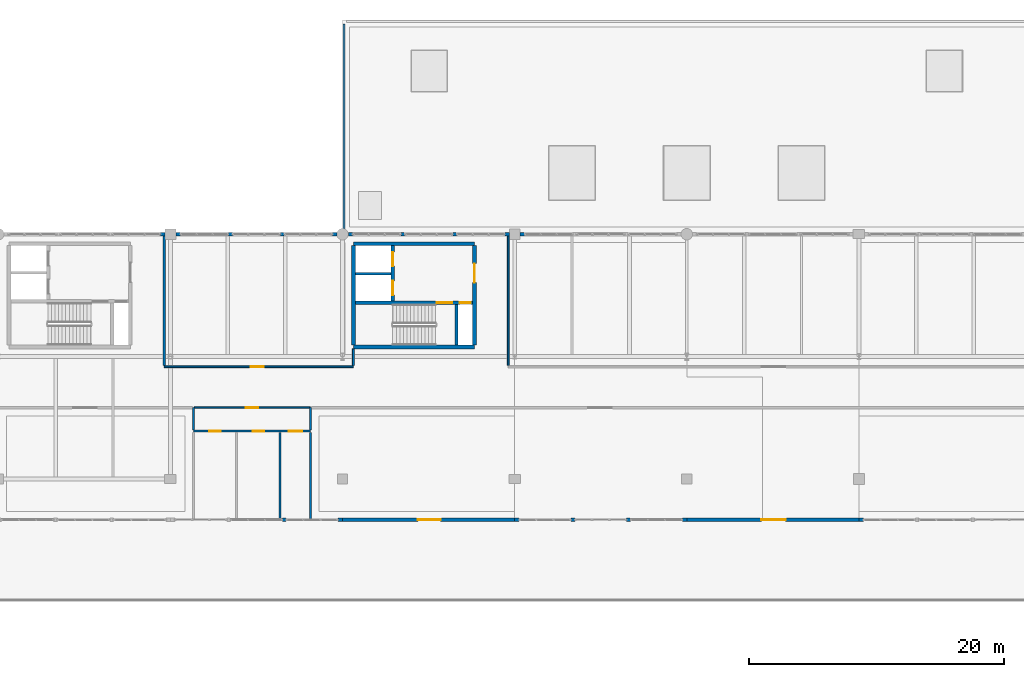
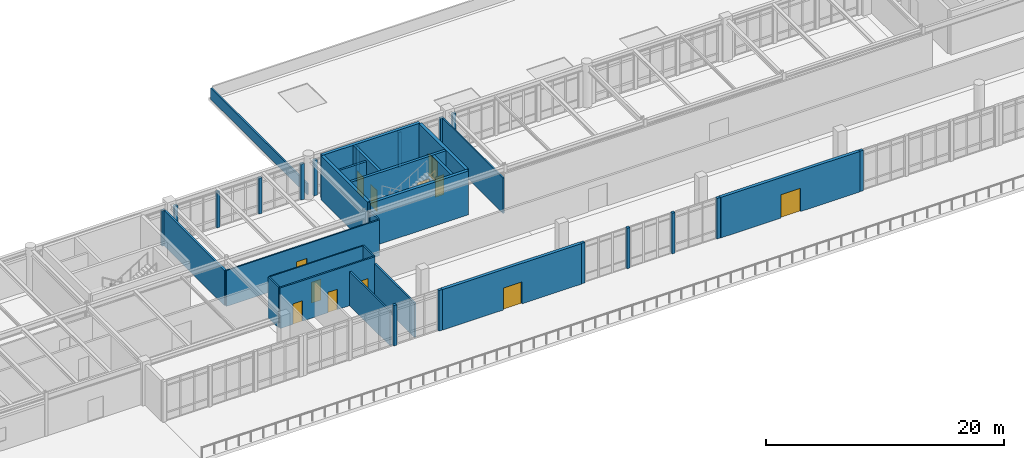
# One storey, part 48 of 55: 38 walls, 12 doors, 12 openings.
"""IFC4 building model written with IfcOpenShell, lengths in metres."""

from ifc_helpers import new_model, si_unit, direction, frame, frame_2d, origin, place, context, subcontext, project, spatial, rectangle, extrude, material, layer, layer_set, type_object, element, fill, save


model = new_model("IFC4")

# Units and contexts
model_context = context("Model", 3, precision=1e-05, world=origin(), true_north=direction((0.0, 1.0)))
body_context = subcontext(model_context, "Body", "Model", "MODEL_VIEW")
ifc_project = project(units=[si_unit("LENGTHUNIT", "METRE"), si_unit("AREAUNIT", "SQUARE_METRE"), si_unit("VOLUMEUNIT", "CUBIC_METRE"), si_unit("PLANEANGLEUNIT", "RADIAN"), si_unit("MASSUNIT", "GRAM", prefix="KILO")], contexts=[model_context])

# Site, building, storey
site_placement = place(None, origin())
site = spatial("IfcSite", under=ifc_project, at=site_placement, CompositionType="ELEMENT")
building_placement = place(site_placement, origin())
building = spatial("IfcBuilding", under=site, at=building_placement, Name="Fikremerkos Civic Library", CompositionType="ELEMENT")
storey_placement = place(building_placement, frame((0.0, 0.0, 18.89990234375)))
storey = spatial("IfcBuildingStorey", under=building, at=storey_placement, Name="L04", CompositionType="ELEMENT", Elevation=18.89990234375)

# Walls
ifc_material_1 = material(Name="Concrete C40/50", Category="concrete")
ifc_layer_1 = layer(ifc_material_1, 0.300048828125, Name="Concrete C40/50")
ifc_layer_set_1 = layer_set([ifc_layer_1], Name="Concrete C40/50")
wall_type_1 = type_object("IfcWallType", Name="Core shear wall CSW-01 300", PredefinedType="SHEAR", material=ifc_layer_set_1)
for number, where, z_axis, x_axis, name in (
    (1, (56.550048828125, 22.35009765625, 0.0), (0.0, 0.0, 1.0), (-1.0, 0.0, 0.0), "Core K3 south shear wall L04"),
    (2, (47.050048828125, 30.449951171875, 0.0), (0.0, 0.0, 1.0), (1.0, 0.0, 0.0), "Core K3 north shear wall L04"),
):
    element("IfcWall", number, at=place(storey_placement, frame(where, z_axis=z_axis, x_axis=x_axis)), inside=storey, type_object=wall_type_1, Name=name, PredefinedType="SHEAR", context=body_context, shape_type="SweptSolid", body=[
        extrude(rectangle(XDim=9.5, YDim=0.300048828125, at=frame_2d((4.75, 0.0))), origin(), (0.0, 0.0, 1.0), 4.5),
    ])
wall_1_placement = place(storey_placement, frame((47.050048828125, 22.501953125, 0.0), z_axis=(0.0, 0.0, 1.0), x_axis=(0.0, 1.0, 0.0)))
element("IfcWall", 3, at=wall_1_placement, inside=storey, type_object=wall_type_1, Name="Core K3 west shear wall L04", PredefinedType="SHEAR", context=body_context, shape_type="SweptSolid", body=[
    extrude(rectangle(XDim=7.796142578125, YDim=0.300048828125, at=frame_2d((3.89794921875, 0.0))), origin(), (0.0, 0.0, 1.0), 4.5),
])

# Wall, opening, door
wall_2_placement = place(storey_placement, frame((56.550048828125, 30.298095703125, 0.0), z_axis=(0.0, 0.0, 1.0), x_axis=(0.0, -1.0, 0.0)))
wall_2 = element("IfcWall", 4, at=wall_2_placement, inside=storey, type_object=wall_type_1, Name="Core K3 east shear wall L04", PredefinedType="SHEAR", context=body_context, shape_type="SweptSolid", body=[
    extrude(rectangle(XDim=7.796142578125, YDim=0.300048828125, at=frame_2d((3.89794921875, 0.0))), origin(), (0.0, 0.0, 1.0), 4.5),
])
opening_1_placement = place(wall_2_placement, frame((1.39794921875, 0.0, 0.0)))
opening_1 = element("IfcOpeningElement", 5, at=opening_1_placement, cuts=wall_2, Name="Opening D095", PredefinedType="OPENING", context=body_context, shape_type="SweptSolid", body=[
    extrude(rectangle(XDim=1.5, YDim=2.25, at=frame_2d((0.75, 1.125))), frame((0.0, 0.159912109375, 0.0), z_axis=(0.0, -1.0, 0.0), x_axis=(1.0, 0.0, 0.0)), (0.0, 0.0, 1.0), 0.320068359375),
])
ifc_material_2 = material(Name="Hardwood timber and acoustic glass", Category="wood")
door_type_1 = type_object("IfcDoorType", Name="Pedestrian door DT-05 1500x2250", OperationType="NOTDEFINED", PredefinedType="DOOR", material=ifc_material_2)
door_1_placement = place(opening_1_placement, origin())
door_1 = element("IfcDoor", 6, at=door_1_placement, inside=storey, type_object=door_type_1, Name="Core K3 lobby fire door D095 L04", OperationType="SINGLE_SWING_RIGHT", OverallHeight=2.25, OverallWidth=1.5, PredefinedType="DOOR", context=body_context, shape_type="SweptSolid", body=[
    extrude(rectangle(XDim=1.5, YDim=2.25, at=frame_2d((0.75, 1.125))), frame((0.0, 0.032470703125, 0.0), z_axis=(0.0, -1.0, 0.0), x_axis=(1.0, 0.0, 0.0)), (0.0, 0.0, 1.0), 0.06494140625),
])
fill(opening_1, door_1)

# Wall, openings, doors
ifc_layer_2 = layer(ifc_material_1, 0.260009765625, Name="Concrete C40/50")
ifc_layer_set_2 = layer_set([ifc_layer_2], Name="Concrete C40/50")
wall_type_2 = type_object("IfcWallType", Name="Core shear wall CSW-02 260", PredefinedType="SHEAR", material=ifc_layer_set_2)
wall_3_placement = place(storey_placement, frame((47.201904296875, 25.830078125, 0.0), z_axis=(0.0, 0.0, 1.0), x_axis=(1.0, 0.0, 0.0)))
wall_3 = element("IfcWall", 7, at=wall_3_placement, inside=storey, type_object=wall_type_2, Name="Core K3 stair compartment wall L04", PredefinedType="SHEAR", context=body_context, shape_type="SweptSolid", body=[
    extrude(rectangle(XDim=9.196044921875, YDim=0.260009765625, at=frame_2d((4.59814453125, 0.0))), origin(), (0.0, 0.0, 1.0), 4.5),
])
opening_2_placement = place(wall_3_placement, frame((6.39794921875, 0.0, 0.0)))
opening_2 = element("IfcOpeningElement", 8, at=opening_2_placement, cuts=wall_3, Name="Opening D096", PredefinedType="OPENING", context=body_context, shape_type="SweptSolid", body=[
    extrude(rectangle(XDim=1.199951171875, YDim=2.199951171875, at=frame_2d((0.60009765625, 1.10009765625))), frame((0.0, 0.139892578125, 0.0), z_axis=(0.0, -1.0, 0.0), x_axis=(1.0, 0.0, 0.0)), (0.0, 0.0, 1.0), 0.280029296875),
])
opening_3_placement = place(wall_3_placement, frame((8.202880859375, 0.0, 0.0)))
opening_3 = element("IfcOpeningElement", 9, at=opening_3_placement, cuts=wall_3, Name="Opening D097", PredefinedType="OPENING", context=body_context, shape_type="SweptSolid", body=[
    extrude(rectangle(XDim=0.85009765625, YDim=2.050048828125, at=frame_2d((0.425048828125, 1.02490234375))), frame((0.0, 0.139892578125, 0.0), z_axis=(0.0, -1.0, 0.0), x_axis=(1.0, 0.0, 0.0)), (0.0, 0.0, 1.0), 0.280029296875),
])
door_type_2 = type_object("IfcDoorType", Name="Pedestrian door DT-06 1200x2200", OperationType="NOTDEFINED", PredefinedType="DOOR", material=ifc_material_2)
door_2_placement = place(opening_2_placement, origin())
door_2 = element("IfcDoor", 10, at=door_2_placement, inside=storey, type_object=door_type_2, Name="Core K3 stair fire door D096 L04", OperationType="SINGLE_SWING_RIGHT", OverallHeight=2.199951171875, OverallWidth=1.199951171875, PredefinedType="DOOR", context=body_context, shape_type="SweptSolid", body=[
    extrude(rectangle(XDim=1.199951171875, YDim=2.199951171875, at=frame_2d((0.60009765625, 1.10009765625))), frame((0.0, 0.032470703125, 0.0), z_axis=(0.0, -1.0, 0.0), x_axis=(1.0, 0.0, 0.0)), (0.0, 0.0, 1.0), 0.06494140625),
])
fill(opening_2, door_2)
door_type_3 = type_object("IfcDoorType", Name="Pedestrian door DT-08 850x2050", OperationType="NOTDEFINED", PredefinedType="DOOR", material=ifc_material_2)
door_3_placement = place(opening_3_placement, origin())
door_3 = element("IfcDoor", 11, at=door_3_placement, inside=storey, type_object=door_type_3, Name="Core K3 riser access fire door D097 L04", OperationType="SINGLE_SWING_LEFT", OverallHeight=2.050048828125, OverallWidth=0.85009765625, PredefinedType="DOOR", context=body_context, shape_type="SweptSolid", body=[
    extrude(rectangle(XDim=0.85009765625, YDim=2.050048828125, at=frame_2d((0.425048828125, 1.02490234375))), frame((0.0, 0.032470703125, 0.0), z_axis=(0.0, -1.0, 0.0), x_axis=(1.0, 0.0, 0.0)), (0.0, 0.0, 1.0), 0.06494140625),
])
fill(opening_3, door_3)

# Wall
wall_4_placement = place(storey_placement, frame((55.1298828125, 22.501953125, 0.0), z_axis=(0.0, 0.0, 1.0), x_axis=(0.0, 1.0, 0.0)))
element("IfcWall", 12, at=wall_4_placement, inside=storey, type_object=wall_type_2, Name="Core K3 stair-riser shear wall L04", PredefinedType="SHEAR", context=body_context, shape_type="SweptSolid", body=[
    extrude(rectangle(XDim=3.196044921875, YDim=0.260009765625, at=frame_2d((1.59814453125, 0.0))), origin(), (0.0, 0.0, 1.0), 4.5),
])

# Wall, openings, doors
wall_5_placement = place(storey_placement, frame((50.1298828125, 25.9619140625, 0.0), z_axis=(0.0, 0.0, 1.0), x_axis=(0.0, 1.0, 0.0)))
wall_5 = element("IfcWall", 13, at=wall_5_placement, inside=storey, type_object=wall_type_2, Name="Core K3 lift shaft front wall L04", PredefinedType="SHEAR", context=body_context, shape_type="SweptSolid", body=[
    extrude(rectangle(XDim=4.336181640625, YDim=0.260009765625, at=frame_2d((2.16796875, 0.0))), origin(), (0.0, 0.0, 1.0), 4.5),
])
opening_4_placement = place(wall_5_placement, frame((0.468017578125, 0.0, 0.0)))
opening_4 = element("IfcOpeningElement", 14, at=opening_4_placement, cuts=wall_5, Name="Opening LD45", PredefinedType="OPENING", context=body_context, shape_type="SweptSolid", body=[
    extrude(rectangle(XDim=1.10009765625, YDim=2.14990234375, at=frame_2d((0.550048828125, 1.074951171875))), frame((0.0, 0.139892578125, 0.0), z_axis=(0.0, -1.0, 0.0), x_axis=(1.0, 0.0, 0.0)), (0.0, 0.0, 1.0), 0.280029296875),
])
opening_5_placement = place(wall_5_placement, frame((2.738037109375, 0.0, 0.0)))
opening_5 = element("IfcOpeningElement", 15, at=opening_5_placement, cuts=wall_5, Name="Opening LD46", PredefinedType="OPENING", context=body_context, shape_type="SweptSolid", body=[
    extrude(rectangle(XDim=1.10009765625, YDim=2.14990234375, at=frame_2d((0.550048828125, 1.074951171875))), frame((0.0, 0.139892578125, 0.0), z_axis=(0.0, -1.0, 0.0), x_axis=(1.0, 0.0, 0.0)), (0.0, 0.0, 1.0), 0.280029296875),
])
ifc_material_3 = material(Name="Brushed stainless steel", Category="steel")
door_type_4 = type_object("IfcDoorType", Name="Lift landing door LDT-01 1100x2150", OperationType="NOTDEFINED", PredefinedType="DOOR", material=ifc_material_3)
door_4_placement = place(opening_4_placement, origin())
door_4 = element("IfcDoor", 16, at=door_4_placement, inside=storey, type_object=door_type_4, Name="Lift LF05 sliding landing door LD45 L04", OperationType="SLIDING_TO_LEFT", OverallHeight=2.14990234375, OverallWidth=1.10009765625, PredefinedType="DOOR", context=body_context, shape_type="SweptSolid", body=[
    extrude(rectangle(XDim=1.10009765625, YDim=2.14990234375, at=frame_2d((0.550048828125, 1.074951171875))), frame((0.0, 0.032470703125, 0.0), z_axis=(0.0, -1.0, 0.0), x_axis=(1.0, 0.0, 0.0)), (0.0, 0.0, 1.0), 0.06494140625),
])
fill(opening_4, door_4)
door_5_placement = place(opening_5_placement, origin())
door_5 = element("IfcDoor", 17, at=door_5_placement, inside=storey, type_object=door_type_4, Name="Lift LF06 sliding landing door LD46 L04", OperationType="SLIDING_TO_LEFT", OverallHeight=2.14990234375, OverallWidth=1.10009765625, PredefinedType="DOOR", context=body_context, shape_type="SweptSolid", body=[
    extrude(rectangle(XDim=1.10009765625, YDim=2.14990234375, at=frame_2d((0.550048828125, 1.074951171875))), frame((0.0, 0.032470703125, 0.0), z_axis=(0.0, -1.0, 0.0), x_axis=(1.0, 0.0, 0.0)), (0.0, 0.0, 1.0), 0.06494140625),
])
fill(opening_5, door_5)

# Wall, opening, door
ifc_material_4 = material(Name="Precast concrete C40/50", Category="concrete")
ifc_layer_3 = layer(ifc_material_4, 0.300048828125, Name="Precast concrete C40/50")
ifc_layer_set_3 = layer_set([ifc_layer_3], Name="Precast concrete C40/50")
wall_type_3 = type_object("IfcWallType", Name="Exterior solid wall ESW-03 300", PredefinedType="SOLIDWALL", material=ifc_layer_set_3)
wall_6_placement = place(storey_placement, frame((86.697998046875, 8.800048828125, 0.0), z_axis=(0.0, 0.0, 1.0), x_axis=(-1.0, 0.0, 0.0)))
wall_6 = element("IfcWall", 18, at=wall_6_placement, inside=storey, type_object=wall_type_3, Name="Terrace threshold wall ESW-03 L04 #618", PredefinedType="SOLIDWALL", context=body_context, shape_type="SweptSolid", body=[
    extrude(rectangle(XDim=13.49609375, YDim=0.300048828125, at=frame_2d((6.748046875, 0.0))), origin(), (0.0, 0.0, 1.0), 4.16015625),
])
opening_6_placement = place(wall_6_placement, frame((5.748046875, 0.0, 0.0)))
opening_6 = element("IfcOpeningElement", 19, at=opening_6_placement, cuts=wall_6, Name="Opening D026", PredefinedType="OPENING", context=body_context, shape_type="SweptSolid", body=[
    extrude(rectangle(XDim=1.89990234375, YDim=2.39990234375, at=frame_2d((0.949951171875, 1.199951171875))), frame((0.0, 0.159912109375, 0.0), z_axis=(0.0, -1.0, 0.0), x_axis=(1.0, 0.0, 0.0)), (0.0, 0.0, 1.0), 0.320068359375),
])
ifc_material_5 = material(Name="Thermally broken bronze aluminium and glass", Category="aluminium")
door_type_5 = type_object("IfcDoorType", Name="Pedestrian door DT-16 1900x2400", OperationType="NOTDEFINED", PredefinedType="DOOR", material=ifc_material_5)
door_6_placement = place(opening_6_placement, origin())
door_6 = element("IfcDoor", 20, at=door_6_placement, inside=storey, type_object=door_type_5, Name="Reading terrace access door D026 L04", OperationType="SINGLE_SWING_RIGHT", OverallHeight=2.39990234375, OverallWidth=1.89990234375, PredefinedType="DOOR", context=body_context, shape_type="SweptSolid", body=[
    extrude(rectangle(XDim=1.89990234375, YDim=2.39990234375, at=frame_2d((0.949951171875, 1.199951171875))), frame((0.0, 0.032470703125, 0.0), z_axis=(0.0, -1.0, 0.0), x_axis=(1.0, 0.0, 0.0)), (0.0, 0.0, 1.0), 0.06494140625),
])
fill(opening_6, door_6)

wall_7_placement = place(storey_placement, frame((59.697998046875, 8.800048828125, 0.0), z_axis=(0.0, 0.0, 1.0), x_axis=(-1.0, 0.0, 0.0)))
wall_7 = element("IfcWall", 21, at=wall_7_placement, inside=storey, type_object=wall_type_3, Name="Terrace threshold wall ESW-03 L04 #623", PredefinedType="SOLIDWALL", context=body_context, shape_type="SweptSolid", body=[
    extrude(rectangle(XDim=13.49609375, YDim=0.300048828125, at=frame_2d((6.748046875, 0.0))), origin(), (0.0, 0.0, 1.0), 4.16015625),
])
opening_7_placement = place(wall_7_placement, frame((5.798095703125, 0.0, 0.0)))
opening_7 = element("IfcOpeningElement", 22, at=opening_7_placement, cuts=wall_7, Name="Opening D027", PredefinedType="OPENING", context=body_context, shape_type="SweptSolid", body=[
    extrude(rectangle(XDim=1.800048828125, YDim=2.25, at=frame_2d((0.89990234375, 1.125))), frame((0.0, 0.159912109375, 0.0), z_axis=(0.0, -1.0, 0.0), x_axis=(1.0, 0.0, 0.0)), (0.0, 0.0, 1.0), 0.320068359375),
])
door_type_6 = type_object("IfcDoorType", Name="Pedestrian door DT-12 1800x2250", OperationType="NOTDEFINED", PredefinedType="DOOR", material=ifc_material_5)
door_7_placement = place(opening_7_placement, origin())
door_7 = element("IfcDoor", 23, at=door_7_placement, inside=storey, type_object=door_type_6, Name="Reading terrace access door D027 L04", OperationType="SINGLE_SWING_LEFT", OverallHeight=2.25, OverallWidth=1.800048828125, PredefinedType="DOOR", context=body_context, shape_type="SweptSolid", body=[
    extrude(rectangle(XDim=1.800048828125, YDim=2.25, at=frame_2d((0.89990234375, 1.125))), frame((0.0, 0.032470703125, 0.0), z_axis=(0.0, -1.0, 0.0), x_axis=(1.0, 0.0, 0.0)), (0.0, 0.0, 1.0), 0.06494140625),
])
fill(opening_7, door_7)

# Walls
ifc_layer_4 = layer(ifc_material_4, 0.25, Name="Precast concrete C40/50")
ifc_layer_set_4 = layer_set([ifc_layer_4], Name="Precast concrete C40/50")
wall_type_4 = type_object("IfcWallType", Name="Exterior solid wall ESW-05 250", PredefinedType="SOLIDWALL", material=ifc_layer_set_4)
for number, where, z_axis, x_axis, name in (
    (24, (87.052001953125, 8.800048828125, 0.0), (0.0, 0.0, 1.0), (-1.0, 0.0, 0.0), "Exterior facade pier ESW-05 #615"),
    (25, (73.197998046875, 8.800048828125, 0.0), (0.0, 0.0, 1.0), (-1.0, 0.0, 0.0), "Exterior facade pier ESW-05 #619"),
    (26, (60.052001953125, 8.800048828125, 0.0), (0.0, 0.0, 1.0), (-1.0, 0.0, 0.0), "Exterior facade pier ESW-05 #620"),
):
    element("IfcWall", number, at=place(storey_placement, frame(where, z_axis=z_axis, x_axis=x_axis)), inside=storey, type_object=wall_type_4, Name=name, PredefinedType="SOLIDWALL", context=body_context, shape_type="SweptSolid", body=[
        extrude(rectangle(XDim=0.35009765625, YDim=0.25, at=frame_2d((0.175048828125, 0.0))), origin(), (0.0, 0.0, 1.0), 4.16015625),
    ])
wall_8_placement = place(storey_placement, frame((68.78271484375, 8.800048828125, 0.0), z_axis=(0.0, 0.0, 1.0), x_axis=(-1.0, 0.0, 0.0)))
element("IfcWall", 27, at=wall_8_placement, inside=storey, type_object=wall_type_4, Name="Exterior facade mullion pier ESW-05 #621", PredefinedType="SOLIDWALL", context=body_context, shape_type="SweptSolid", body=[
    extrude(rectangle(XDim=0.300048828125, YDim=0.25, at=frame_2d((0.14990234375, 0.0))), origin(), (0.0, 0.0, 1.0), 4.16015625),
])
wall_9_placement = place(storey_placement, frame((64.417236328125, 8.800048828125, 0.0), z_axis=(0.0, 0.0, 1.0), x_axis=(-1.0, 0.0, 0.0)))
element("IfcWall", 28, at=wall_9_placement, inside=storey, type_object=wall_type_4, Name="Exterior facade mullion pier ESW-05 #622", PredefinedType="SOLIDWALL", context=body_context, shape_type="SweptSolid", body=[
    extrude(rectangle(XDim=0.2998046875, YDim=0.25, at=frame_2d((0.14990234375, 0.0))), origin(), (0.0, 0.0, 1.0), 4.16015625),
])
wall_10_placement = place(storey_placement, frame((46.197998046875, 8.800048828125, 0.0), z_axis=(0.0, 0.0, 1.0), x_axis=(-1.0, 0.0, 0.0)))
element("IfcWall", 29, at=wall_10_placement, inside=storey, type_object=wall_type_4, Name="Exterior facade pier ESW-05 #624", PredefinedType="SOLIDWALL", context=body_context, shape_type="SweptSolid", body=[
    extrude(rectangle(XDim=0.35009765625, YDim=0.25, at=frame_2d((0.175048828125, 0.0))), origin(), (0.0, 0.0, 1.0), 4.16015625),
])
wall_11_placement = place(storey_placement, frame((41.78271484375, 8.800048828125, 0.0), z_axis=(0.0, 0.0, 1.0), x_axis=(-1.0, 0.0, 0.0)))
element("IfcWall", 30, at=wall_11_placement, inside=storey, type_object=wall_type_4, Name="Exterior facade mullion pier ESW-05 #626", PredefinedType="SOLIDWALL", context=body_context, shape_type="SweptSolid", body=[
    extrude(rectangle(XDim=0.300048828125, YDim=0.25, at=frame_2d((0.14990234375, 0.0))), origin(), (0.0, 0.0, 1.0), 4.16015625),
])
wall_12_placement = place(storey_placement, frame((31.927001953125, 31.199951171875, 0.0), z_axis=(0.0, 0.0, 1.0), x_axis=(1.0, 0.0, 0.0)))
element("IfcWall", 31, at=wall_12_placement, inside=storey, type_object=wall_type_4, Name="Exterior facade pier ESW-05 #640", PredefinedType="SOLIDWALL", context=body_context, shape_type="SweptSolid", body=[
    extrude(rectangle(XDim=0.35009765625, YDim=0.25, at=frame_2d((0.175048828125, 0.0))), origin(), (0.0, 0.0, 1.0), 3.630126953125),
])
for number, where, z_axis, x_axis, name in (
    (32, (33.123046875, 31.199951171875, 0.0), (0.0, 0.0, 1.0), (1.0, 0.0, 0.0), "Exterior facade pier ESW-05 #643"),
    (33, (45.402099609375, 31.199951171875, 0.0), (0.0, 0.0, 1.0), (1.0, 0.0, 0.0), "Exterior facade pier ESW-05 #644"),
):
    element("IfcWall", number, at=place(storey_placement, frame(where, z_axis=z_axis, x_axis=x_axis)), inside=storey, type_object=wall_type_4, Name=name, PredefinedType="SOLIDWALL", context=body_context, shape_type="SweptSolid", body=[
        extrude(rectangle(XDim=0.349853515625, YDim=0.25, at=frame_2d((0.1748046875, 0.0))), origin(), (0.0, 0.0, 1.0), 3.68017578125),
    ])
for number, where, z_axis, x_axis, name in (
    (34, (37.249267578125, 31.199951171875, 0.0), (0.0, 0.0, 1.0), (1.0, 0.0, 0.0), "Exterior facade mullion pier ESW-05 #645"),
    (35, (41.32568359375, 31.199951171875, 0.0), (0.0, 0.0, 1.0), (1.0, 0.0, 0.0), "Exterior facade mullion pier ESW-05 #646"),
):
    element("IfcWall", number, at=place(storey_placement, frame(where, z_axis=z_axis, x_axis=x_axis)), inside=storey, type_object=wall_type_4, Name=name, PredefinedType="SOLIDWALL", context=body_context, shape_type="SweptSolid", body=[
        extrude(rectangle(XDim=0.300048828125, YDim=0.25, at=frame_2d((0.14990234375, 0.0))), origin(), (0.0, 0.0, 1.0), 3.68017578125),
    ])
for number, where, z_axis, x_axis, name in (
    (36, (46.64794921875, 31.199951171875, 0.0), (0.0, 0.0, 1.0), (1.0, 0.0, 0.0), "Exterior facade pier ESW-05 #647"),
    (37, (58.927001953125, 31.199951171875, 0.0), (0.0, 0.0, 1.0), (1.0, 0.0, 0.0), "Exterior facade pier ESW-05 #648"),
):
    element("IfcWall", number, at=place(storey_placement, frame(where, z_axis=z_axis, x_axis=x_axis)), inside=storey, type_object=wall_type_4, Name=name, PredefinedType="SOLIDWALL", context=body_context, shape_type="SweptSolid", body=[
        extrude(rectangle(XDim=0.35009765625, YDim=0.25, at=frame_2d((0.175048828125, 0.0))), origin(), (0.0, 0.0, 1.0), 3.64013671875),
    ])
wall_13_placement = place(storey_placement, frame((50.7744140625, 31.199951171875, 0.0), z_axis=(0.0, 0.0, 1.0), x_axis=(1.0, 0.0, 0.0)))
element("IfcWall", 38, at=wall_13_placement, inside=storey, type_object=wall_type_4, Name="Exterior facade mullion pier ESW-05 #649", PredefinedType="SOLIDWALL", context=body_context, shape_type="SweptSolid", body=[
    extrude(rectangle(XDim=0.2998046875, YDim=0.25, at=frame_2d((0.14990234375, 0.0))), origin(), (0.0, 0.0, 1.0), 3.64013671875),
])
wall_14_placement = place(storey_placement, frame((54.8505859375, 31.199951171875, 0.0), z_axis=(0.0, 0.0, 1.0), x_axis=(1.0, 0.0, 0.0)))
element("IfcWall", 39, at=wall_14_placement, inside=storey, type_object=wall_type_4, Name="Exterior facade mullion pier ESW-05 #650", PredefinedType="SOLIDWALL", context=body_context, shape_type="SweptSolid", body=[
    extrude(rectangle(XDim=0.300048828125, YDim=0.25, at=frame_2d((0.14990234375, 0.0))), origin(), (0.0, 0.0, 1.0), 3.64013671875),
])
wall_15_placement = place(storey_placement, frame((60.123046875, 31.199951171875, 0.0), z_axis=(0.0, 0.0, 1.0), x_axis=(1.0, 0.0, 0.0)))
element("IfcWall", 40, at=wall_15_placement, inside=storey, type_object=wall_type_4, Name="Exterior facade pier ESW-05 #651", PredefinedType="SOLIDWALL", context=body_context, shape_type="SweptSolid", body=[
    extrude(rectangle(XDim=0.349853515625, YDim=0.25, at=frame_2d((0.1748046875, 0.0))), origin(), (0.0, 0.0, 1.0), 3.690185546875),
])
ifc_material_6 = material(Name="Acoustic concrete blockwork", Category="masonry")
ifc_layer_5 = layer(ifc_material_6, 0.18994140625, Name="Acoustic concrete blockwork")
ifc_layer_set_5 = layer_set([ifc_layer_5], Name="Acoustic concrete blockwork")
wall_type_5 = type_object("IfcWallType", Name="Interior partition wall IPW-01 190", PredefinedType="PARTITIONING", material=ifc_layer_set_5)
wall_16_placement = place(storey_placement, frame((32.199951171875, 20.905029296875, 0.0), z_axis=(0.0, 0.0, 1.0), x_axis=(0.0, 1.0, 0.0)))
element("IfcWall", 41, at=wall_16_placement, inside=storey, type_object=wall_type_5, Name="Interior wall IPW-01 L04 #244", PredefinedType="PARTITIONING", context=body_context, shape_type="SweptSolid", body=[
    extrude(rectangle(XDim=10.166015625, YDim=0.18994140625, at=frame_2d((5.0830078125, 0.0))), origin(), (0.0, 0.0, 1.0), 3.630126953125),
])
ifc_material_7 = material(Name="Acoustic gypsum stud partition")
ifc_layer_6 = layer(ifc_material_7, 0.14990234375, Name="Acoustic gypsum stud partition")
ifc_layer_set_6 = layer_set([ifc_layer_6], Name="Acoustic gypsum stud partition")
wall_type_6 = type_object("IfcWallType", Name="Interior partition wall IPW-02 150", PredefinedType="PARTITIONING", material=ifc_layer_set_6)
wall_17_placement = place(storey_placement, frame((47.050048828125, 20.905029296875, 0.0), z_axis=(0.0, 0.0, 1.0), x_axis=(0.0, 1.0, 0.0)))
element("IfcWall", 42, at=wall_17_placement, inside=storey, type_object=wall_type_6, Name="Interior wall IPW-02 L04 #245", PredefinedType="PARTITIONING", context=body_context, shape_type="SweptSolid", body=[
    extrude(rectangle(XDim=1.2919921875, YDim=0.14990234375, at=frame_2d((0.64599609375, 0.0))), origin(), (0.0, 0.0, 1.0), 3.690185546875),
])

# Wall, opening, door
ifc_material_8 = material(Name="Gypsum metal stud partition")
ifc_layer_7 = layer(ifc_material_8, 0.1298828125, Name="Gypsum metal stud partition")
ifc_layer_set_7 = layer_set([ifc_layer_7], Name="Gypsum metal stud partition")
wall_type_7 = type_object("IfcWallType", Name="Interior partition wall IPW-03 130", PredefinedType="PARTITIONING", material=ifc_layer_set_7)
wall_18_placement = place(storey_placement, frame((32.199951171875, 20.800048828125, 0.0), z_axis=(0.0, 0.0, 1.0), x_axis=(1.0, 0.0, 0.0)))
wall_18 = element("IfcWall", 43, at=wall_18_placement, inside=storey, type_object=wall_type_7, Name="Interior wall IPW-03 L04 #238", PredefinedType="PARTITIONING", context=body_context, shape_type="SweptSolid", body=[
    extrude(rectangle(XDim=14.85009765625, YDim=0.1298828125, at=frame_2d((7.425048828125, 0.0))), origin(), (0.0, 0.0, 1.0), 3.690185546875),
])
opening_8_placement = place(wall_18_placement, frame((6.800048828125, 0.0, 0.0)))
opening_8 = element("IfcOpeningElement", 44, at=opening_8_placement, cuts=wall_18, Name="Opening D250", PredefinedType="OPENING", context=body_context, shape_type="SweptSolid", body=[
    extrude(rectangle(XDim=1.0, YDim=2.199951171875, at=frame_2d((0.5, 1.10009765625))), frame((0.0, 0.074951171875, 0.0), z_axis=(0.0, -1.0, 0.0), x_axis=(1.0, 0.0, 0.0)), (0.0, 0.0, 1.0), 0.14990234375),
])
door_type_7 = type_object("IfcDoorType", Name="Pedestrian door DT-01 1000x2200", OperationType="NOTDEFINED", PredefinedType="DOOR", material=ifc_material_2)
door_8_placement = place(opening_8_placement, origin())
door_8 = element("IfcDoor", 45, at=door_8_placement, inside=storey, type_object=door_type_7, Name="Interior door D250 L04", OperationType="SINGLE_SWING_RIGHT", OverallHeight=2.199951171875, OverallWidth=1.0, PredefinedType="DOOR", context=body_context, shape_type="SweptSolid", body=[
    extrude(rectangle(XDim=1.0, YDim=2.199951171875, at=frame_2d((0.5, 1.10009765625))), frame((0.0, 0.032470703125, 0.0), z_axis=(0.0, -1.0, 0.0), x_axis=(1.0, 0.0, 0.0)), (0.0, 0.0, 1.0), 0.06494140625),
])
fill(opening_8, door_8)

# Wall
wall_19_placement = place(storey_placement, frame((59.199951171875, 20.905029296875, 0.0), z_axis=(0.0, 0.0, 1.0), x_axis=(0.0, 1.0, 0.0)))
element("IfcWall", 46, at=wall_19_placement, inside=storey, type_object=wall_type_7, Name="Interior wall IPW-03 L04 #246", PredefinedType="PARTITIONING", context=body_context, shape_type="SweptSolid", body=[
    extrude(rectangle(XDim=10.166015625, YDim=0.1298828125, at=frame_2d((5.0830078125, 0.0))), origin(), (0.0, 0.0, 1.0), 3.64013671875),
])

# Wall, opening, door
ifc_material_9 = material(Name="Lightweight metal stud partition")
ifc_layer_8 = layer(ifc_material_9, 0.110107421875, Name="Lightweight metal stud partition")
ifc_layer_set_8 = layer_set([ifc_layer_8], Name="Lightweight metal stud partition")
wall_type_8 = type_object("IfcWallType", Name="Interior partition wall IPW-04 110", PredefinedType="PARTITIONING", material=ifc_layer_set_8)
wall_20_placement = place(storey_placement, frame((34.550048828125, 17.60009765625, 0.0), z_axis=(0.0, 0.0, 1.0), x_axis=(1.0, 0.0, 0.0)))
wall_20 = element("IfcWall", 47, at=wall_20_placement, inside=storey, type_object=wall_type_8, Name="Interior wall IPW-04 L04 #239", PredefinedType="PARTITIONING", context=body_context, shape_type="SweptSolid", body=[
    extrude(rectangle(XDim=9.099853515625, YDim=0.110107421875, at=frame_2d((4.5498046875, 0.0))), origin(), (0.0, 0.0, 1.0), 4.16015625),
])
opening_9_placement = place(wall_20_placement, frame((4.074951171875, 0.0, 0.0)))
opening_9 = element("IfcOpeningElement", 48, at=opening_9_placement, cuts=wall_20, Name="Opening D241", PredefinedType="OPENING", context=body_context, shape_type="SweptSolid", body=[
    extrude(rectangle(XDim=0.949951171875, YDim=2.14990234375, at=frame_2d((0.47509765625, 1.074951171875))), frame((0.0, 0.06494140625, 0.0), z_axis=(0.0, -1.0, 0.0), x_axis=(1.0, 0.0, 0.0)), (0.0, 0.0, 1.0), 0.130126953125),
])
door_type_8 = type_object("IfcDoorType", Name="Pedestrian door DT-02 950x2150", OperationType="NOTDEFINED", PredefinedType="DOOR", material=ifc_material_2)
door_9_placement = place(opening_9_placement, origin())
door_9 = element("IfcDoor", 49, at=door_9_placement, inside=storey, type_object=door_type_8, Name="Interior door D241 L04", OperationType="SINGLE_SWING_LEFT", OverallHeight=2.14990234375, OverallWidth=0.949951171875, PredefinedType="DOOR", context=body_context, shape_type="SweptSolid", body=[
    extrude(rectangle(XDim=0.949951171875, YDim=2.14990234375, at=frame_2d((0.47509765625, 1.074951171875))), frame((0.0, 0.032470703125, 0.0), z_axis=(0.0, -1.0, 0.0), x_axis=(1.0, 0.0, 0.0)), (0.0, 0.0, 1.0), 0.06494140625),
])
fill(opening_9, door_9)

# Walls
ifc_layer_9 = layer(ifc_material_4, 0.159912109375, Name="Precast concrete C40/50")
ifc_layer_set_9 = layer_set([ifc_layer_9], Name="Precast concrete C40/50")
wall_type_9 = type_object("IfcWallType", Name="Roof parapet wall PAR-02 160", PredefinedType="PARAPET", material=ifc_layer_set_9)
wall_21_placement = place(storey_placement, frame((46.320068359375, 31.5, 0.0), z_axis=(0.0, 0.0, 1.0), x_axis=(0.0, 1.0, 0.0)))
element("IfcWall", 50, at=wall_21_placement, inside=storey, type_object=wall_type_9, Name="Roof parapet wall PAR-02 RF-L04-V4A W", PredefinedType="PARAPET", context=body_context, shape_type="SweptSolid", body=[
    extrude(rectangle(XDim=16.199951171875, YDim=0.159912109375, at=frame_2d((8.10009765625, 0.0))), origin(), (0.0, 0.0, 1.0), 1.150146484375),
])
ifc_material_10 = material(Name="Concrete C35/45", Category="concrete")
ifc_layer_10 = layer(ifc_material_10, 0.199951171875, Name="Concrete C35/45")
ifc_layer_set_10 = layer_set([ifc_layer_10], Name="Concrete C35/45")
wall_type_10 = type_object("IfcWallType", Name="Service duct wall SDW-01 200", PredefinedType="PLUMBINGWALL", material=ifc_layer_set_10)
wall_22_placement = place(storey_placement, frame((47.201904296875, 28.10009765625, 0.0), z_axis=(0.0, 0.0, 1.0), x_axis=(1.0, 0.0, 0.0)))
element("IfcWall", 51, at=wall_22_placement, inside=storey, type_object=wall_type_10, Name="Core K3 inter-lift shaft wall L04", PredefinedType="PLUMBINGWALL", context=body_context, shape_type="SweptSolid", body=[
    extrude(rectangle(XDim=2.796142578125, YDim=0.199951171875, at=frame_2d((1.39794921875, 0.0))), origin(), (0.0, 0.0, 1.0), 4.239990234375),
])

# Wall, openings, doors
ifc_material_11 = material(Name="Aerated concrete blockwork", Category="masonry")
ifc_layer_11 = layer(ifc_material_11, 0.159912109375, Name="Aerated concrete blockwork")
ifc_layer_set_11 = layer_set([ifc_layer_11], Name="Aerated concrete blockwork")
wall_type_11 = type_object("IfcWallType", Name="Service duct wall SDW-02 160", PredefinedType="PLUMBINGWALL", material=ifc_layer_set_11)
wall_23_placement = place(storey_placement, frame((34.5, 15.75, 0.0), z_axis=(0.0, 0.0, 1.0), x_axis=(1.0, 0.0, 0.0)))
wall_23 = element("IfcWall", 52, at=wall_23_placement, inside=storey, type_object=wall_type_11, Name="Interior wall SDW-02 L04 #229", PredefinedType="PLUMBINGWALL", context=body_context, shape_type="SweptSolid", body=[
    extrude(rectangle(XDim=9.199951171875, YDim=0.159912109375, at=frame_2d((4.60009765625, 0.0))), origin(), (0.0, 0.0, 1.0), 4.16015625),
])
opening_10_placement = place(wall_23_placement, frame((1.25, 0.0, 0.0)))
opening_10 = element("IfcOpeningElement", 53, at=opening_10_placement, cuts=wall_23, Name="Opening D242", PredefinedType="OPENING", context=body_context, shape_type="SweptSolid", body=[
    extrude(rectangle(XDim=0.89990234375, YDim=2.10009765625, at=frame_2d((0.449951171875, 1.050048828125))), frame((0.0, 0.08984375, 0.0), z_axis=(0.0, -1.0, 0.0), x_axis=(1.0, 0.0, 0.0)), (0.0, 0.0, 1.0), 0.179931640625),
])
opening_11_placement = place(wall_23_placement, frame((4.64990234375, 0.0, 0.0)))
opening_11 = element("IfcOpeningElement", 54, at=opening_11_placement, cuts=wall_23, Name="Opening D243", PredefinedType="OPENING", context=body_context, shape_type="SweptSolid", body=[
    extrude(rectangle(XDim=0.89990234375, YDim=2.10009765625, at=frame_2d((0.449951171875, 1.050048828125))), frame((0.0, 0.08984375, 0.0), z_axis=(0.0, -1.0, 0.0), x_axis=(1.0, 0.0, 0.0)), (0.0, 0.0, 1.0), 0.179931640625),
])
opening_12_placement = place(wall_23_placement, frame((7.47509765625, 0.0, 0.0)))
opening_12 = element("IfcOpeningElement", 55, at=opening_12_placement, cuts=wall_23, Name="Opening D244", PredefinedType="OPENING", context=body_context, shape_type="SweptSolid", body=[
    extrude(rectangle(XDim=1.050048828125, YDim=2.14990234375, at=frame_2d((0.52490234375, 1.074951171875))), frame((0.0, 0.08984375, 0.0), z_axis=(0.0, -1.0, 0.0), x_axis=(1.0, 0.0, 0.0)), (0.0, 0.0, 1.0), 0.179931640625),
])
door_type_9 = type_object("IfcDoorType", Name="Pedestrian door DT-03 900x2100", OperationType="NOTDEFINED", PredefinedType="DOOR", material=ifc_material_2)
door_10_placement = place(opening_10_placement, origin())
door_10 = element("IfcDoor", 56, at=door_10_placement, inside=storey, type_object=door_type_9, Name="Interior door D242 L04", OperationType="SINGLE_SWING_RIGHT", OverallHeight=2.10009765625, OverallWidth=0.89990234375, PredefinedType="DOOR", context=body_context, shape_type="SweptSolid", body=[
    extrude(rectangle(XDim=0.89990234375, YDim=2.10009765625, at=frame_2d((0.449951171875, 1.050048828125))), frame((0.0, 0.032470703125, 0.0), z_axis=(0.0, -1.0, 0.0), x_axis=(1.0, 0.0, 0.0)), (0.0, 0.0, 1.0), 0.06494140625),
])
fill(opening_10, door_10)
door_11_placement = place(opening_11_placement, origin())
door_11 = element("IfcDoor", 57, at=door_11_placement, inside=storey, type_object=door_type_9, Name="Interior door D243 L04", OperationType="SINGLE_SWING_LEFT", OverallHeight=2.10009765625, OverallWidth=0.89990234375, PredefinedType="DOOR", context=body_context, shape_type="SweptSolid", body=[
    extrude(rectangle(XDim=0.89990234375, YDim=2.10009765625, at=frame_2d((0.449951171875, 1.050048828125))), frame((0.0, 0.032470703125, 0.0), z_axis=(0.0, -1.0, 0.0), x_axis=(1.0, 0.0, 0.0)), (0.0, 0.0, 1.0), 0.06494140625),
])
fill(opening_11, door_11)
door_type_10 = type_object("IfcDoorType", Name="Pedestrian door DT-04 1050x2150", OperationType="NOTDEFINED", PredefinedType="DOOR", material=ifc_material_2)
door_12_placement = place(opening_12_placement, origin())
door_12 = element("IfcDoor", 58, at=door_12_placement, inside=storey, type_object=door_type_10, Name="Interior door D244 L04", OperationType="SINGLE_SWING_RIGHT", OverallHeight=2.14990234375, OverallWidth=1.050048828125, PredefinedType="DOOR", context=body_context, shape_type="SweptSolid", body=[
    extrude(rectangle(XDim=1.050048828125, YDim=2.14990234375, at=frame_2d((0.52490234375, 1.074951171875))), frame((0.0, 0.032470703125, 0.0), z_axis=(0.0, -1.0, 0.0), x_axis=(1.0, 0.0, 0.0)), (0.0, 0.0, 1.0), 0.06494140625),
])
fill(opening_12, door_12)

# Walls
wall_24_placement = place(storey_placement, frame((34.5, 15.85498046875, 0.0), z_axis=(0.0, 0.0, 1.0), x_axis=(0.0, 1.0, 0.0)))
element("IfcWall", 59, at=wall_24_placement, inside=storey, type_object=wall_type_11, Name="Interior wall SDW-02 L04 #231", PredefinedType="PLUMBINGWALL", context=body_context, shape_type="SweptSolid", body=[
    extrude(rectangle(XDim=1.7451171875, YDim=0.159912109375, at=frame_2d((0.87255859375, 0.0))), origin(), (0.0, 0.0, 1.0), 4.16015625),
])
for number, where, z_axis, x_axis, name in (
    (60, (41.300048828125, 8.883056640625, 0.0), (0.0, 0.0, 1.0), (0.0, 1.0, 0.0), "Interior wall SDW-02 L04 #233"),
    (61, (43.699951171875, 8.883056640625, 0.0), (0.0, 0.0, 1.0), (0.0, 1.0, 0.0), "Interior wall SDW-02 L04 #234"),
):
    element("IfcWall", number, at=place(storey_placement, frame(where, z_axis=z_axis, x_axis=x_axis)), inside=storey, type_object=wall_type_11, Name=name, PredefinedType="PLUMBINGWALL", context=body_context, shape_type="SweptSolid", body=[
        extrude(rectangle(XDim=6.761962890625, YDim=0.159912109375, at=frame_2d((3.380859375, 0.0))), origin(), (0.0, 0.0, 1.0), 3.5),
    ])
wall_25_placement = place(storey_placement, frame((43.699951171875, 15.85498046875, 0.0), z_axis=(0.0, 0.0, 1.0), x_axis=(0.0, 1.0, 0.0)))
element("IfcWall", 62, at=wall_25_placement, inside=storey, type_object=wall_type_11, Name="Interior wall SDW-02 L04 #235", PredefinedType="PLUMBINGWALL", context=body_context, shape_type="SweptSolid", body=[
    extrude(rectangle(XDim=1.7451171875, YDim=0.159912109375, at=frame_2d((0.87255859375, 0.0))), origin(), (0.0, 0.0, 1.0), 4.16015625),
])

save(model, "model.ifc")
